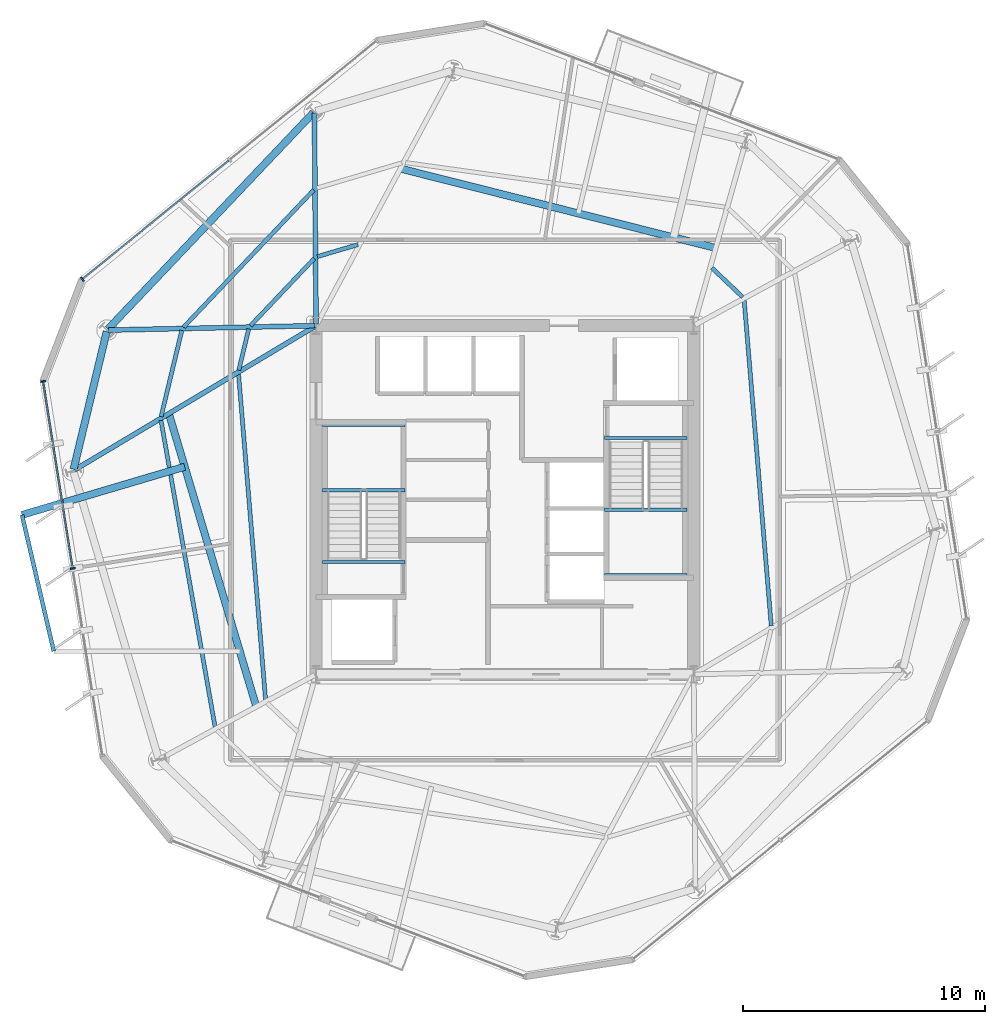
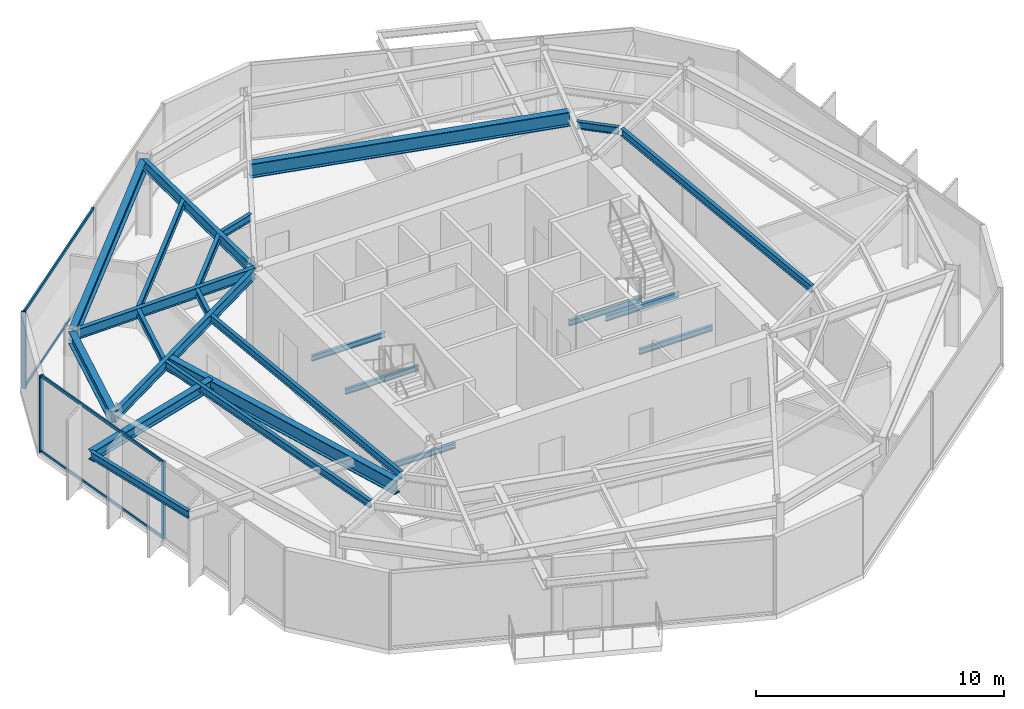
# One storey, part 3 of 12: 24 beams, 7 members, 2 elements without a shape of their own.
"""IFC4 building model written with IfcOpenShell, lengths in metres."""

from ifc_helpers import new_model, si_unit, direction, frame, origin, origin_2d, place, context, subcontext, project, spatial, rectangle, i_section, extrude, material, layer, layer_set, material_profile, profile_set, type_object, element, aggregate, save


model = new_model("IFC4")

# Units and contexts
model_context = context("Model", 3, precision=1e-05, world=origin(), true_north=direction((0.0, 1.0)))
body_context = subcontext(model_context, "Body", "Model", "MODEL_VIEW")
ifc_project = project(units=[si_unit("LENGTHUNIT", "METRE"), si_unit("AREAUNIT", "SQUARE_METRE"), si_unit("VOLUMEUNIT", "CUBIC_METRE"), si_unit("PLANEANGLEUNIT", "RADIAN"), si_unit("MASSUNIT", "GRAM", prefix="KILO")], contexts=[model_context])

# Site, building, storey
site_placement = place(None, origin())
site = spatial("IfcSite", under=ifc_project, at=site_placement, CompositionType="ELEMENT")
building_placement = place(site_placement, origin())
building = spatial("IfcBuilding", under=site, at=building_placement, Name="Kranzbogen Civic Tower", CompositionType="ELEMENT")
storey_placement = place(building_placement, frame((0.0, 0.0, 180.800048828125)))
storey = spatial("IfcBuildingStorey", under=building, at=storey_placement, Name="L43", CompositionType="ELEMENT", Elevation=180.800048828125)

# Curtain wall, member
ifc_material_1 = material(Name="Pale Anodised Aluminium", Category="aluminium")
ifc_layer = layer(ifc_material_1, 0.219970703125, Name="Pale Anodised Aluminium")
ifc_layer_set = layer_set([ifc_layer], Name="Pale Anodised Aluminium")
curtain_wall_type = type_object("IfcCurtainWallType", Name="Zone 3 Stick Curtain Wall System CW-04", PredefinedType="USERDEFINED", material=ifc_layer_set)
curtain_wall_1_placement = place(storey_placement, origin())
curtain_wall_1 = element("IfcCurtainWall", 1, at=curtain_wall_1_placement, inside=storey, type_object=curtain_wall_type, Name="L43 curtain wall CW-L43-F2", ObjectType="STICK CURTAIN WALL", PredefinedType="USERDEFINED")
ifc_material_profile_1 = material_profile(ifc_material_1, rectangle(XDim=0.070068359375, YDim=0.199951171875, at=origin_2d()), Name="ALU-M 70x200")
ifc_profile_set_1 = profile_set([ifc_material_profile_1], Name="Pale Anodised Aluminium")
member_type_1 = type_object("IfcMemberType", Name="Curtain Wall Mullion ALU-M 70x200", PredefinedType="MULLION", material=ifc_profile_set_1)
member_1_placement = place(storey_placement, frame((7.54638671875, 34.119873046875, 0.0), z_axis=(0.0, 0.0, 1.0), x_axis=(-0.777115874444, -0.629357543601, 0.0)))
member_1 = element("IfcMember", 2, at=member_1_placement, type_object=member_type_1, Name="CW-04 mullion 3", PredefinedType="MULLION", context=body_context, shape_type="SweptSolid", body=[
    extrude(rectangle(XDim=0.070068359375, YDim=0.199951171875, at=origin_2d()), origin(), (0.0, 0.0, 1.0), 3.780029296875),
])

# Curtain wall, members
curtain_wall_2_placement = place(storey_placement, origin())
curtain_wall_2 = element("IfcCurtainWall", 3, at=curtain_wall_2_placement, inside=storey, type_object=curtain_wall_type, Name="L43 curtain wall CW-L43-F3", ObjectType="STICK CURTAIN WALL", PredefinedType="USERDEFINED")
member_2_placement = place(storey_placement, frame((5.927734375, 29.900390625, 0.0), z_axis=(0.0, 0.0, 1.0), x_axis=(0.156361413818, -0.987699908003, 0.0)))
member_2 = element("IfcMember", 4, at=member_2_placement, type_object=member_type_1, Name="CW-04 mullion 1", PredefinedType="MULLION", context=body_context, shape_type="SweptSolid", body=[
    extrude(rectangle(XDim=0.070068359375, YDim=0.199951171875, at=origin_2d()), origin(), (0.0, 0.0, 1.0), 3.780029296875),
])
member_3_placement = place(storey_placement, frame((7.15087890625, 22.173095703125, 0.0), z_axis=(0.0, 0.0, 1.0), x_axis=(0.156361413818, -0.987699908003, 0.0)))
member_3 = element("IfcMember", 5, at=member_3_placement, type_object=member_type_1, Name="CW-04 mullion 2", PredefinedType="MULLION", context=body_context, shape_type="SweptSolid", body=[
    extrude(rectangle(XDim=0.070068359375, YDim=0.199951171875, at=origin_2d()), origin(), (0.0, 0.0, 1.0), 3.780029296875),
])

# Member
ifc_material_profile_2 = material_profile(ifc_material_1, rectangle(XDim=0.070068359375, YDim=0.14990234375, at=origin_2d()), Name="ALU-T 70x150")
ifc_profile_set_2 = profile_set([ifc_material_profile_2], Name="Pale Anodised Aluminium")
member_type_2 = type_object("IfcMemberType", Name="Curtain Wall Transom ALU-T 70x150", PredefinedType="USERDEFINED", material=ifc_profile_set_2)
member_4_placement = place(storey_placement, frame((13.603271484375, 39.025146484375, 0.030029296875), z_axis=(-0.777115243261, -0.62935832297, 0.0), x_axis=(0.62935832297, -0.777115243261, 0.0)))
member_4 = element("IfcMember", 6, at=member_4_placement, type_object=member_type_2, Name="CW-04 transom 2.1", ObjectType="TRANSOM", PredefinedType="USERDEFINED", context=body_context, shape_type="SweptSolid", body=[
    extrude(rectangle(XDim=0.070068359375, YDim=0.14990234375, at=origin_2d()), origin(), (0.0, 0.0, 1.0), 7.76416015625),
])

member_5_placement = place(storey_placement, frame((13.603271484375, 39.025146484375, 3.75), z_axis=(-0.777115243261, -0.62935832297, 0.0), x_axis=(0.62935832297, -0.777115243261, 0.0)))
member_5 = element("IfcMember", 7, at=member_5_placement, type_object=member_type_2, Name="CW-04 transom 2.2", ObjectType="TRANSOM", PredefinedType="USERDEFINED", context=body_context, shape_type="SweptSolid", body=[
    extrude(rectangle(XDim=0.070068359375, YDim=0.14990234375, at=origin_2d()), origin(), (0.0, 0.0, 1.0), 7.76416015625),
])

aggregate(curtain_wall_1, [member_1, member_4, member_5])

member_6_placement = place(storey_placement, frame((5.932373046875, 29.870849609375, 0.030029296875), z_axis=(0.156351732392, -0.987701440607, 0.0), x_axis=(0.987701440607, 0.156351732392, 0.0)))
member_6 = element("IfcMember", 8, at=member_6_placement, type_object=member_type_2, Name="CW-04 transom 1.1", ObjectType="TRANSOM", PredefinedType="USERDEFINED", context=body_context, shape_type="SweptSolid", body=[
    extrude(rectangle(XDim=0.070068359375, YDim=0.14990234375, at=origin_2d()), origin(), (0.0, 0.0, 1.0), 7.763671875),
])

member_7_placement = place(storey_placement, frame((5.932373046875, 29.870849609375, 3.75), z_axis=(0.156351732392, -0.987701440607, 0.0), x_axis=(0.987701440607, 0.156351732392, 0.0)))
member_7 = element("IfcMember", 9, at=member_7_placement, type_object=member_type_2, Name="CW-04 transom 1.2", ObjectType="TRANSOM", PredefinedType="USERDEFINED", context=body_context, shape_type="SweptSolid", body=[
    extrude(rectangle(XDim=0.070068359375, YDim=0.14990234375, at=origin_2d()), origin(), (0.0, 0.0, 1.0), 7.763671875),
])

aggregate(curtain_wall_2, [member_2, member_3, member_6, member_7])

# Beams
ifc_material_2 = material(Name="Steel S355", Category="steel")
ifc_material_profile_3 = material_profile(ifc_material_2, i_section(OverallWidth=0.300048828125, OverallDepth=0.5, WebThickness=0.014404296875, FlangeThickness=0.028076171875, at=origin_2d()), Name="HEB 500")
ifc_profile_set_3 = profile_set([ifc_material_profile_3], Name="Steel S355")
beam_type_1 = type_object("IfcBeamType", Name="Perimeter Tube Spandrel Beam HEB 500", PredefinedType="SPANDREL", material=ifc_profile_set_3)
beam_1_placement = place(storey_placement, frame((11.77587890625, 26.3740234375, 3.469970703125), z_axis=(-0.958814625339, -0.284032593615, 0.0), x_axis=(0.284032593615, -0.958814625339, 0.0)))
element("IfcBeam", 10, at=beam_1_placement, inside=storey, type_object=beam_type_1, Name="L44 back-spanned terrace beam L44-ST-1", PredefinedType="SPANDREL", context=body_context, shape_type="SweptSolid", body=[
    extrude(i_section(OverallWidth=0.300048828125, OverallDepth=0.5, WebThickness=0.014404296875, FlangeThickness=0.028076171875, at=origin_2d()), origin(), (0.0, 0.0, 1.0), 7.009521484375),
])
ifc_material_profile_4 = material_profile(ifc_material_2, i_section(OverallWidth=0.300048828125, OverallDepth=0.60009765625, WebThickness=0.015380859375, FlangeThickness=0.030029296875, at=origin_2d()), Name="HEB 600")
ifc_profile_set_4 = profile_set([ifc_material_profile_4], Name="Steel S355")
beam_type_2 = type_object("IfcBeamType", Name="Perimeter Tube Spandrel Beam HEB 600", PredefinedType="SPANDREL", material=ifc_profile_set_4)
beam_2_placement = place(storey_placement, frame((17.092041015625, 41.0, 3.47998046875), z_axis=(-0.688373497874, -0.725356414065, 0.0), x_axis=(0.725356414065, -0.688373497874, 0.0)))
element("IfcBeam", 11, at=beam_2_placement, inside=storey, type_object=beam_type_2, Name="L43 perimeter spandrel beam 10", PredefinedType="SPANDREL", context=body_context, shape_type="SweptSolid", body=[
    extrude(i_section(OverallWidth=0.300048828125, OverallDepth=0.60009765625, WebThickness=0.015380859375, FlangeThickness=0.030029296875, at=origin_2d()), origin(), (0.0, 0.0, 1.0), 12.324951171875),
])
beam_3_placement = place(storey_placement, frame((8.552978515625, 31.9580078125, 3.47998046875), z_axis=(-0.233554380434, -0.972343741369, 0.0), x_axis=(0.972343741369, -0.233554380434, 0.0)))
element("IfcBeam", 12, at=beam_3_placement, inside=storey, type_object=beam_type_2, Name="L43 perimeter spandrel beam 11", PredefinedType="SPANDREL", context=body_context, shape_type="SweptSolid", body=[
    extrude(i_section(OverallWidth=0.300048828125, OverallDepth=0.60009765625, WebThickness=0.015380859375, FlangeThickness=0.030029296875, at=origin_2d()), origin(), (0.0, 0.0, 1.0), 5.852783203125),
])
ifc_material_profile_5 = material_profile(ifc_material_2, i_section(OverallWidth=0.300048828125, OverallDepth=0.699951171875, WebThickness=0.01708984375, FlangeThickness=0.031982421875, at=origin_2d()), Name="HEB 700")
ifc_profile_set_5 = profile_set([ifc_material_profile_5], Name="Steel S355")
beam_type_3 = type_object("IfcBeamType", Name="Perimeter Tube Spandrel Beam HEB 700", PredefinedType="SPANDREL", material=ifc_profile_set_5)
beam_4_placement = place(storey_placement, frame((33.7080078125, 35.408935546875, 3.39990234375), z_axis=(-0.969754167823, 0.244083702834, 0.0), x_axis=(-0.244083702834, -0.969754167823, 0.0)))
element("IfcBeam", 13, at=beam_4_placement, inside=storey, type_object=beam_type_3, Name="L44 balcony back-span header girder L44-TB2", PredefinedType="SPANDREL", context=body_context, shape_type="SweptSolid", body=[
    extrude(i_section(OverallWidth=0.300048828125, OverallDepth=0.699951171875, WebThickness=0.01708984375, FlangeThickness=0.031982421875, at=origin_2d()), origin(), (0.0, 0.0, 1.0), 13.43017578125),
])
beam_5_placement = place(storey_placement, frame((11.12109375, 28.568115234375, 3.369873046875), z_axis=(0.285870808606, -0.95826816747, 0.0), x_axis=(0.95826816747, 0.285870808606, 0.0)))
element("IfcBeam", 14, at=beam_5_placement, inside=storey, type_object=beam_type_3, Name="L44 balcony back-span header girder L44-ST", PredefinedType="SPANDREL", context=body_context, shape_type="SweptSolid", body=[
    extrude(i_section(OverallWidth=0.300048828125, OverallDepth=0.699951171875, WebThickness=0.01708984375, FlangeThickness=0.031982421875, at=origin_2d()), origin(), (0.0, 0.0, 1.0), 12.634521484375),
])
ifc_material_profile_6 = material_profile(ifc_material_2, i_section(OverallWidth=0.199951171875, OverallDepth=0.5, WebThickness=0.01025390625, FlangeThickness=0.01611328125, at=origin_2d()), Name="IPE 500")
ifc_profile_set_6 = profile_set([ifc_material_profile_6], Name="Steel S355")
beam_type_4 = type_object("IfcBeamType", Name="Radial Tower Floor Girder IPE 500", PredefinedType="BEAM", material=ifc_profile_set_6)
beam_6_placement = place(storey_placement, frame((17.133056640625, 40.98388671875, 3.530029296875), z_axis=(0.007667756557, -0.999970602323, 0.0), x_axis=(0.999970602323, 0.007667756557, 0.0)))
element("IfcBeam", 15, at=beam_6_placement, inside=storey, type_object=beam_type_4, Name="L43 radial floor girder 10", PredefinedType="BEAM", context=body_context, shape_type="SweptSolid", body=[
    extrude(i_section(OverallWidth=0.199951171875, OverallDepth=0.5, WebThickness=0.01025390625, FlangeThickness=0.01611328125, at=origin_2d()), origin(), (0.0, 0.0, 1.0), 8.72412109375),
])
beam_7_placement = place(storey_placement, frame((8.626953125, 32.01708984375, 3.530029296875), z_axis=(0.99977183191, 0.021360808018, 0.0), x_axis=(-0.021360808018, 0.99977183191, 0.0)))
element("IfcBeam", 16, at=beam_7_placement, inside=storey, type_object=beam_type_4, Name="L43 radial floor girder 11", PredefinedType="BEAM", context=body_context, shape_type="SweptSolid", body=[
    extrude(i_section(OverallWidth=0.199951171875, OverallDepth=0.5, WebThickness=0.01025390625, FlangeThickness=0.01611328125, at=origin_2d()), origin(), (0.0, 0.0, 1.0), 8.514892578125),
])
beam_8_placement = place(storey_placement, frame((7.22412109375, 26.239990234375, 3.530029296875), z_axis=(0.858458551809, 0.512882944565, 0.0), x_axis=(-0.512882944565, 0.858458551809, 0.0)))
element("IfcBeam", 17, at=beam_8_placement, inside=storey, type_object=beam_type_4, Name="L43 radial floor girder 12", PredefinedType="BEAM", context=body_context, shape_type="SweptSolid", body=[
    extrude(i_section(OverallWidth=0.199951171875, OverallDepth=0.5, WebThickness=0.01025390625, FlangeThickness=0.01611328125, at=origin_2d()), origin(), (0.0, 0.0, 1.0), 11.56005859375),
])
ifc_material_profile_7 = material_profile(ifc_material_2, i_section(OverallWidth=0.169921875, OverallDepth=0.360107421875, WebThickness=0.008056640625, FlangeThickness=0.0126953125, at=origin_2d()), Name="IPE 360")
ifc_profile_set_7 = profile_set([ifc_material_profile_7], Name="Steel S355")
beam_type_5 = type_object("IfcBeamType", Name="Secondary Composite Floor Joist IPE 360", PredefinedType="JOIST", material=ifc_profile_set_7)
beam_9_placement = place(storey_placement, frame((36.001953125, 19.797119140625, 3.599853515625), z_axis=(-0.082825426692, 0.996564071544, 0.0), x_axis=(-0.996564071544, -0.082825426692, 0.0)))
element("IfcBeam", 18, at=beam_9_placement, inside=storey, type_object=beam_type_5, Name="L43 secondary floor joist 2.06", PredefinedType="JOIST", context=body_context, shape_type="SweptSolid", body=[
    extrude(i_section(OverallWidth=0.169921875, OverallDepth=0.360107421875, WebThickness=0.008056640625, FlangeThickness=0.0126953125, at=origin_2d()), origin(), (0.0, 0.0, 1.0), 13.497314453125),
])
beam_10_placement = place(storey_placement, frame((34.820068359375, 33.383056640625, 3.599853515625), z_axis=(-0.725479767774, 0.688243493649, 0.0), x_axis=(-0.688243493649, -0.725479767774, 0.0)))
element("IfcBeam", 19, at=beam_10_placement, inside=storey, type_object=beam_type_5, Name="L43 secondary floor joist 2.07", PredefinedType="JOIST", context=body_context, shape_type="SweptSolid", body=[
    extrude(i_section(OverallWidth=0.169921875, OverallDepth=0.360107421875, WebThickness=0.008056640625, FlangeThickness=0.0126953125, at=origin_2d()), origin(), (0.0, 0.0, 1.0), 1.75048828125),
])
beam_11_placement = place(storey_placement, frame((18.93408203125, 35.550048828125, 3.599853515625), z_axis=(-0.958871214757, -0.283841493638, 0.0), x_axis=(0.283841493638, -0.958871214757, 0.0)))
element("IfcBeam", 20, at=beam_11_placement, inside=storey, type_object=beam_type_5, Name="L43 secondary floor joist 2.09", PredefinedType="JOIST", context=body_context, shape_type="SweptSolid", body=[
    extrude(i_section(OverallWidth=0.169921875, OverallDepth=0.360107421875, WebThickness=0.008056640625, FlangeThickness=0.0126953125, at=origin_2d()), origin(), (0.0, 0.0, 1.0), 1.751220703125),
])
beam_12_placement = place(storey_placement, frame((17.10205078125, 37.802001953125, 3.599853515625), z_axis=(-0.688282381634, -0.725442873789, 0.0), x_axis=(0.725442873789, -0.688282381634, 0.0)))
element("IfcBeam", 21, at=beam_12_placement, inside=storey, type_object=beam_type_5, Name="L43 secondary floor joist 1.10", PredefinedType="JOIST", context=body_context, shape_type="SweptSolid", body=[
    extrude(i_section(OverallWidth=0.169921875, OverallDepth=0.360107421875, WebThickness=0.008056640625, FlangeThickness=0.0126953125, at=origin_2d()), origin(), (0.0, 0.0, 1.0), 7.804931640625),
])
beam_13_placement = place(storey_placement, frame((17.123046875, 34.971923828125, 3.599853515625), z_axis=(-0.688175084876, -0.725544659243, 0.0), x_axis=(0.725544659243, -0.688175084876, 0.0)))
element("IfcBeam", 22, at=beam_13_placement, inside=storey, type_object=beam_type_5, Name="L43 secondary floor joist 2.10", PredefinedType="JOIST", context=body_context, shape_type="SweptSolid", body=[
    extrude(i_section(OverallWidth=0.169921875, OverallDepth=0.360107421875, WebThickness=0.008056640625, FlangeThickness=0.0126953125, at=origin_2d()), origin(), (0.0, 0.0, 1.0), 3.82177734375),
])
beam_14_placement = place(storey_placement, frame((11.656005859375, 32.00390625, 3.599853515625), z_axis=(-0.233534367714, -0.972348548154, 0.0), x_axis=(0.972348548154, -0.233534367714, 0.0)))
element("IfcBeam", 23, at=beam_14_placement, inside=storey, type_object=beam_type_5, Name="L43 secondary floor joist 1.11", PredefinedType="JOIST", context=body_context, shape_type="SweptSolid", body=[
    extrude(i_section(OverallWidth=0.169921875, OverallDepth=0.360107421875, WebThickness=0.008056640625, FlangeThickness=0.0126953125, at=origin_2d()), origin(), (0.0, 0.0, 1.0), 3.6611328125),
])
beam_15_placement = place(storey_placement, frame((14.4189453125, 32.06298828125, 3.599853515625), z_axis=(-0.233631438607, -0.972325228972, 0.0), x_axis=(0.972325228972, -0.233631438607, 0.0)))
element("IfcBeam", 24, at=beam_15_placement, inside=storey, type_object=beam_type_5, Name="L43 secondary floor joist 2.11", PredefinedType="JOIST", context=body_context, shape_type="SweptSolid", body=[
    extrude(i_section(OverallWidth=0.169921875, OverallDepth=0.360107421875, WebThickness=0.008056640625, FlangeThickness=0.0126953125, at=origin_2d()), origin(), (0.0, 0.0, 1.0), 1.750244140625),
])
beam_16_placement = place(storey_placement, frame((10.7958984375, 28.287109375, 3.599853515625), z_axis=(0.173805911364, -0.984779927281, 0.0), x_axis=(0.984779927281, 0.173805911364, 0.0)))
element("IfcBeam", 25, at=beam_16_placement, inside=storey, type_object=beam_type_5, Name="L43 secondary floor joist 1.12", PredefinedType="JOIST", context=body_context, shape_type="SweptSolid", body=[
    extrude(i_section(OverallWidth=0.169921875, OverallDepth=0.360107421875, WebThickness=0.008056640625, FlangeThickness=0.0126953125, at=origin_2d()), origin(), (0.0, 0.0, 1.0), 12.85986328125),
])
beam_17_placement = place(storey_placement, frame((13.998046875, 30.202880859375, 3.599853515625), z_axis=(0.082825426692, -0.996564071544, 0.0), x_axis=(0.996564071544, 0.082825426692, 0.0)))
element("IfcBeam", 26, at=beam_17_placement, inside=storey, type_object=beam_type_5, Name="L43 secondary floor joist 2.12", PredefinedType="JOIST", context=body_context, shape_type="SweptSolid", body=[
    extrude(i_section(OverallWidth=0.169921875, OverallDepth=0.360107421875, WebThickness=0.008056640625, FlangeThickness=0.0126953125, at=origin_2d()), origin(), (0.0, 0.0, 1.0), 13.497314453125),
])
beam_18_placement = place(storey_placement, frame((5.054931640625, 24.383056640625, 3.5400390625), z_axis=(0.227149443281, -0.973859913138, 0.0), x_axis=(0.973859913138, 0.227149443281, 0.0)))
element("IfcBeam", 27, at=beam_18_placement, inside=storey, type_object=beam_type_5, Name="L44 terrace outer edge trimmer L44-ST", PredefinedType="JOIST", context=body_context, shape_type="SweptSolid", body=[
    extrude(i_section(OverallWidth=0.169921875, OverallDepth=0.360107421875, WebThickness=0.008056640625, FlangeThickness=0.0126953125, at=origin_2d()), origin(), (0.0, 0.0, 1.0), 5.77587890625),
])
ifc_material_profile_8 = material_profile(ifc_material_2, i_section(OverallWidth=0.135009765625, OverallDepth=0.27001953125, WebThickness=0.006591796875, FlangeThickness=0.01025390625, at=origin_2d()), Name="IPE 270")
ifc_profile_set_8 = profile_set([ifc_material_profile_8], Name="Steel S355")
beam_type_6 = type_object("IfcBeamType", Name="Stair Landing Support Beam IPE 270", PredefinedType="JOIST", material=ifc_profile_set_8)
for number, where, z_axis, x_axis, name in (
    (28, (20.8798828125, 22.43994140625, -0.35498046875), (-1.0, 0.0, 0.0), (0.0, -1.0, 0.0), "L43 ST-T1 stair floor header beam"),
    (29, (20.8798828125, 25.39990234375, 1.6650390625), (-1.0, 0.0, 0.0), (0.0, -1.0, 0.0), "L43 ST-T1 landing support beam 1.1"),
    (30, (20.8798828125, 28.10009765625, 1.6650390625), (-1.0, 0.0, 0.0), (0.0, -1.0, 0.0), "L43 ST-T1 landing support beam 1.2"),
    (31, (29.1201171875, 27.56005859375, -0.35498046875), (1.0, 0.0, 0.0), (0.0, 1.0, 0.0), "L43 ST-T2 stair floor header beam"),
    (32, (29.1201171875, 24.60009765625, 1.6650390625), (1.0, 0.0, 0.0), (0.0, 1.0, 0.0), "L43 ST-T2 landing support beam 1.1"),
    (33, (29.1201171875, 21.89990234375, 1.6650390625), (1.0, 0.0, 0.0), (0.0, 1.0, 0.0), "L43 ST-T2 landing support beam 1.2"),
):
    element("IfcBeam", number, at=place(storey_placement, frame(where, z_axis=z_axis, x_axis=x_axis)), inside=storey, type_object=beam_type_6, Name=name, PredefinedType="JOIST", context=body_context, shape_type="SweptSolid", body=[
        extrude(i_section(OverallWidth=0.135009765625, OverallDepth=0.27001953125, WebThickness=0.006591796875, FlangeThickness=0.01025390625, at=origin_2d()), origin(), (0.0, 0.0, 1.0), 3.409912109375),
    ])

save(model, "model.ifc")
